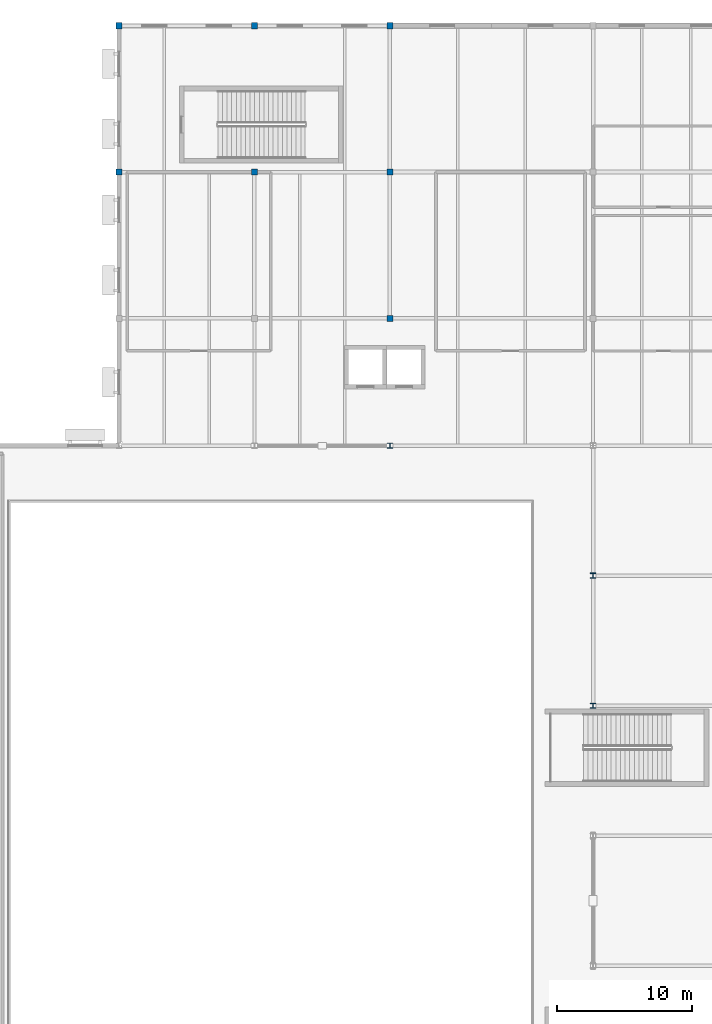
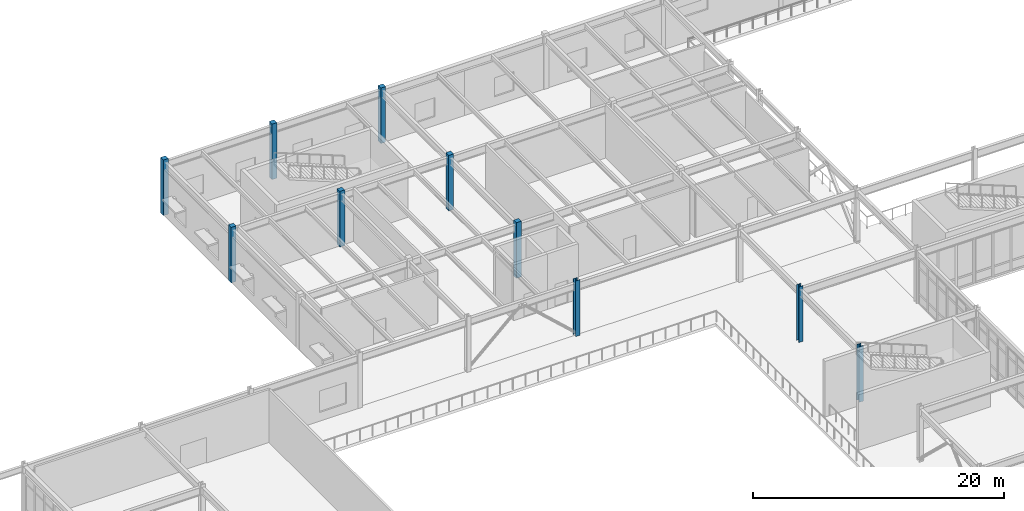
# One storey, part 5 of 72: 10 columns.
"""IFC4 building model written with IfcOpenShell, lengths in metres."""

from ifc_helpers import new_model, si_unit, direction, frame, origin, origin_2d, place, context, subcontext, project, spatial, rectangle, i_section, extrude, material, material_profile, profile_set, type_object, element, save


model = new_model("IFC4")

# Units and contexts
model_context = context("Model", 3, precision=1e-05, world=origin(), true_north=direction((0.0, 1.0)))
body_context = subcontext(model_context, "Body", "Model", "MODEL_VIEW")
ifc_project = project(units=[si_unit("LENGTHUNIT", "METRE"), si_unit("AREAUNIT", "SQUARE_METRE"), si_unit("VOLUMEUNIT", "CUBIC_METRE"), si_unit("PLANEANGLEUNIT", "RADIAN"), si_unit("MASSUNIT", "GRAM", prefix="KILO")], contexts=[model_context])

# Site, building, storey
site_placement = place(None, origin())
site = spatial("IfcSite", under=ifc_project, at=site_placement, CompositionType="ELEMENT")
building_placement = place(site_placement, origin())
building = spatial("IfcBuilding", under=site, at=building_placement, Name="Veldera Park Congress Hotel", CompositionType="ELEMENT")
storey_placement = place(building_placement, frame((0.0, 0.0, 5.39990234375)))
storey = spatial("IfcBuildingStorey", under=building, at=storey_placement, Name="L01", CompositionType="ELEMENT", Elevation=5.39990234375)

# Columns
ifc_material_1 = material(Name="Glulam GL28h (NDS 24F-V4)", Category="wood")
ifc_material_profile_1 = material_profile(ifc_material_1, rectangle(XDim=0.449951171875, YDim=0.449951171875, at=origin_2d()), Name="GL28h 450x450")
ifc_profile_set_1 = profile_set([ifc_material_profile_1], Name="Glulam GL28h (NDS 24F-V4)")
column_type_1 = type_object("IfcColumnType", Name="COL-GL45", PredefinedType="COLUMN", material=ifc_profile_set_1)
for number, where, z_axis, x_axis, name in (
    (1, (-37.39990234375, 47.199951171875, 0.0), (0.0, 0.0, 1.0), (1.0, 0.0, 0.0), "L01 Column COL-GL45 (-37.4,47.2)"),
    (2, (-27.39990234375, 36.39990234375, 0.0), (0.0, 0.0, 1.0), (1.0, 0.0, 0.0), "L01 Column COL-GL45 (-27.4,36.4)"),
    (3, (-27.39990234375, 47.199951171875, 0.0), (0.0, 0.0, 1.0), (1.0, 0.0, 0.0), "L01 Column COL-GL45 (-27.4,47.2)"),
):
    element("IfcColumn", number, at=place(storey_placement, frame(where, z_axis=z_axis, x_axis=x_axis)), inside=storey, type_object=column_type_1, Name=name, PredefinedType="COLUMN", context=body_context, shape_type="SweptSolid", body=[
        extrude(rectangle(XDim=0.449951171875, YDim=0.449951171875, at=origin_2d()), origin(), (0.0, 0.0, 1.0), 5.400146484375),
    ])
ifc_material_profile_2 = material_profile(ifc_material_1, rectangle(XDim=0.449951171875, YDim=0.449951171875, at=origin_2d()), Name="GL28h 450x450")
ifc_profile_set_2 = profile_set([ifc_material_profile_2], Name="Glulam GL28h (NDS 24F-V4)")
column_type_2 = type_object("IfcColumnType", Name="COL-GL45E", PredefinedType="COLUMN", material=ifc_profile_set_2)
for number, where, z_axis, x_axis, name in (
    (4, (-47.39990234375, 47.199951171875, 0.0), (0.0, 0.0, 1.0), (1.0, 0.0, 0.0), "L01 Column COL-GL45E (-47.4,47.2)"),
    (5, (-47.39990234375, 58.0, 0.0), (0.0, 0.0, 1.0), (1.0, 0.0, 0.0), "L01 Column COL-GL45E (-47.4,58.0)"),
    (6, (-37.39990234375, 58.0, 0.0), (0.0, 0.0, 1.0), (1.0, 0.0, 0.0), "L01 Column COL-GL45E (-37.4,58.0)"),
    (7, (-27.39990234375, 58.0, 0.0), (0.0, 0.0, 1.0), (1.0, 0.0, 0.0), "L01 Column COL-GL45E (-27.4,58.0)"),
):
    element("IfcColumn", number, at=place(storey_placement, frame(where, z_axis=z_axis, x_axis=x_axis)), inside=storey, type_object=column_type_2, Name=name, PredefinedType="COLUMN", context=body_context, shape_type="SweptSolid", body=[
        extrude(rectangle(XDim=0.449951171875, YDim=0.449951171875, at=origin_2d()), origin(), (0.0, 0.0, 1.0), 5.400146484375),
    ])
ifc_material_2 = material(Name="Steel ASTM A992 Gr.50", Category="steel")
ifc_material_profile_3 = material_profile(ifc_material_2, i_section(OverallWidth=0.39599609375, OverallDepth=0.381103515625, WebThickness=0.018798828125, FlangeThickness=0.0302734375, at=origin_2d()), Name="W14X159")
ifc_profile_set_3 = profile_set([ifc_material_profile_3], Name="Steel ASTM A992 Gr.50")
column_type_3 = type_object("IfcColumnType", Name="COL-STL159", PredefinedType="COLUMN", material=ifc_profile_set_3)
column_placement = place(storey_placement, frame((-27.39990234375, 27.0, 0.0), z_axis=(0.0, 0.0, 1.0), x_axis=(1.0, 0.0, 0.0)))
element("IfcColumn", 8, at=column_placement, inside=storey, type_object=column_type_3, Name="L01 Column COL-STL159 (-27.4,27.0)", PredefinedType="COLUMN", context=body_context, shape_type="SweptSolid", body=[
    extrude(i_section(OverallWidth=0.39599609375, OverallDepth=0.381103515625, WebThickness=0.018798828125, FlangeThickness=0.0302734375, at=origin_2d()), origin(), (0.0, 0.0, 1.0), 5.400146484375),
])
ifc_material_profile_4 = material_profile(ifc_material_2, i_section(OverallWidth=0.40087890625, OverallDepth=0.39892578125, WebThickness=0.02490234375, FlangeThickness=0.03955078125, at=origin_2d()), Name="W14X211")
ifc_profile_set_4 = profile_set([ifc_material_profile_4], Name="Steel ASTM A992 Gr.50")
column_type_4 = type_object("IfcColumnType", Name="COL-STL211", PredefinedType="COLUMN", material=ifc_profile_set_4)
for number, where, z_axis, x_axis, name in (
    (9, (-12.39990234375, 7.800048828125, 0.0), (0.0, 0.0, 1.0), (1.0, 0.0, 0.0), "L01 Column COL-STL211 (-12.4,7.8)"),
    (10, (-12.39990234375, 17.39990234375, 0.0), (0.0, 0.0, 1.0), (1.0, 0.0, 0.0), "L01 Column COL-STL211 (-12.4,17.4)"),
):
    element("IfcColumn", number, at=place(storey_placement, frame(where, z_axis=z_axis, x_axis=x_axis)), inside=storey, type_object=column_type_4, Name=name, PredefinedType="COLUMN", context=body_context, shape_type="SweptSolid", body=[
        extrude(i_section(OverallWidth=0.40087890625, OverallDepth=0.39892578125, WebThickness=0.02490234375, FlangeThickness=0.03955078125, at=origin_2d()), origin(), (0.0, 0.0, 1.0), 5.400146484375),
    ])

save(model, "model.ifc")
